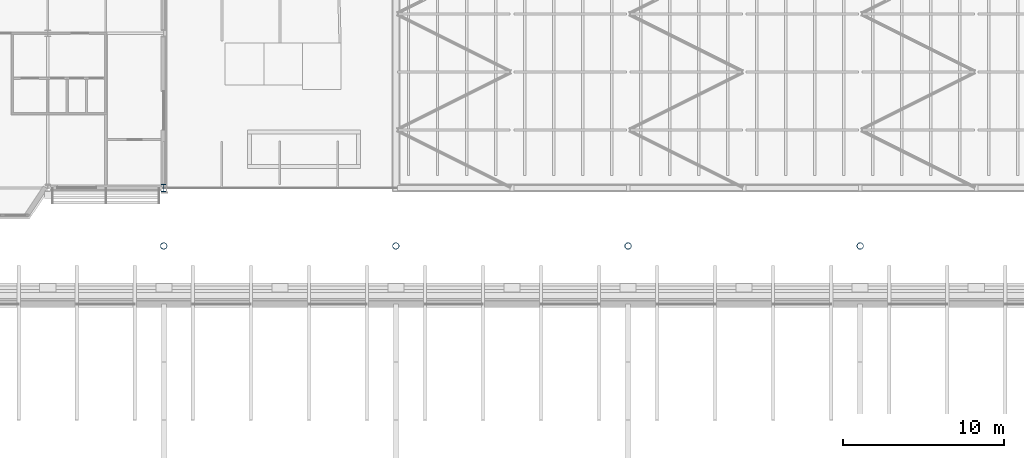
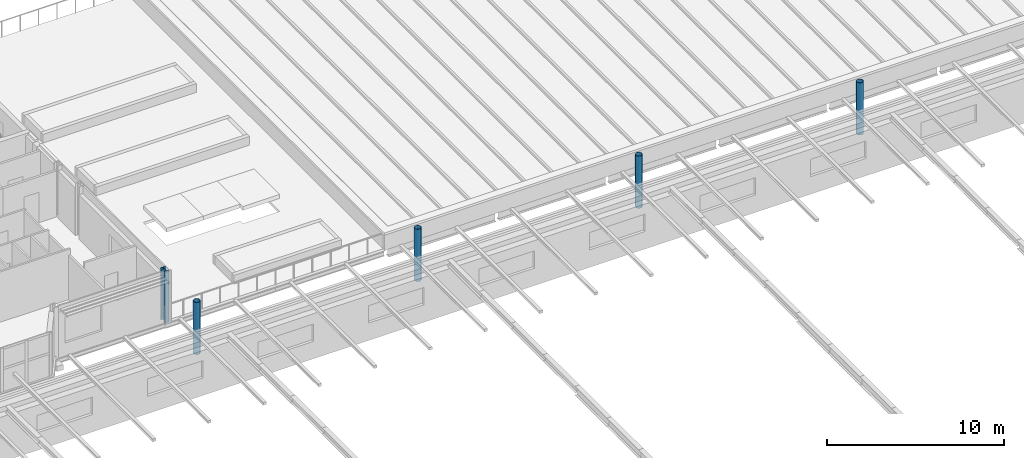
# One storey, part 14 of 110: 5 columns.
"""IFC4 building model written with IfcOpenShell, lengths in metres."""

from ifc_helpers import new_model, si_unit, direction, frame, origin, origin_2d, place, context, subcontext, project, spatial, hollow_circle, i_section, extrude, material, material_profile, profile_set, type_object, element, save


model = new_model("IFC4")

# Units and contexts
model_context = context("Model", 3, precision=1e-05, world=origin(), true_north=direction((0.0, 1.0)))
body_context = subcontext(model_context, "Body", "Model", "MODEL_VIEW")
ifc_project = project(units=[si_unit("LENGTHUNIT", "METRE"), si_unit("AREAUNIT", "SQUARE_METRE"), si_unit("VOLUMEUNIT", "CUBIC_METRE"), si_unit("PLANEANGLEUNIT", "RADIAN"), si_unit("MASSUNIT", "GRAM", prefix="KILO")], contexts=[model_context])

# Site, building, storey
site_placement = place(None, origin())
site = spatial("IfcSite", under=ifc_project, at=site_placement, CompositionType="ELEMENT")
building_placement = place(site_placement, origin())
building = spatial("IfcBuilding", under=site, at=building_placement, Name="Kupolbacken Congress Centre", CompositionType="ELEMENT")
storey_placement = place(building_placement, frame((0.0, 0.0, 18.0)))
storey = spatial("IfcBuildingStorey", under=building, at=storey_placement, Name="L05", CompositionType="ELEMENT", Elevation=18.0)

# Columns
ifc_material_1 = material(Name="Steel S355", Category="steel")
ifc_material_profile_1 = material_profile(ifc_material_1, i_section(OverallWidth=0.300048828125, OverallDepth=0.449951171875, WebThickness=0.013916015625, FlangeThickness=0.02587890625, FilletRadius=0.027099609375, at=origin_2d()), Name="HEB 450")
ifc_profile_set_1 = profile_set([ifc_material_profile_1], Name="Steel S355")
column_type_1 = type_object("IfcColumnType", Name="C03 column HEB 450", PredefinedType="COLUMN", material=ifc_profile_set_1)
column_placement = place(storey_placement, frame((136.800048828125, 122.39990234375, 0.0), z_axis=(0.0, 0.0, 1.0), x_axis=(1.0, 0.0, 0.0)))
element("IfcColumn", 1, at=column_placement, inside=storey, type_object=column_type_1, Name="S/col/C-T-20T/L05", PredefinedType="COLUMN", context=body_context, shape_type="SweptSolid", body=[
    extrude(i_section(OverallWidth=0.300048828125, OverallDepth=0.449951171875, WebThickness=0.013916015625, FlangeThickness=0.02587890625, FilletRadius=0.027099609375, at=origin_2d()), origin(), (0.0, 0.0, 1.0), 3.60009765625),
])
ifc_material_2 = material(Name="Steel S355", Category="steel")
ifc_material_profile_2 = material_profile(ifc_material_2, hollow_circle(Radius=0.203125, WallThickness=0.01611328125, at=origin_2d()), Name="CHS 406.4 x 16")
ifc_profile_set_2 = profile_set([ifc_material_profile_2], Name="Steel S355")
column_type_2 = type_object("IfcColumnType", Name="C15 roof mast CHS 406.4 x 16", PredefinedType="COLUMN", material=ifc_profile_set_2)
for number, where, z_axis, x_axis, name in (
    (2, (136.800048828125, 118.800048828125, 0.0), (0.0, 0.0, 1.0), (1.0, 0.0, 0.0), "Roof mast M4N"),
    (3, (151.199951171875, 118.800048828125, 0.0), (0.0, 0.0, 1.0), (1.0, 0.0, 0.0), "Roof mast M5N"),
    (4, (165.60009765625, 118.800048828125, 0.0), (0.0, 0.0, 1.0), (1.0, 0.0, 0.0), "Roof mast M6N"),
    (5, (180.0, 118.800048828125, 0.0), (0.0, 0.0, 1.0), (1.0, 0.0, 0.0), "Roof mast M7N"),
):
    element("IfcColumn", number, at=place(storey_placement, frame(where, z_axis=z_axis, x_axis=x_axis)), inside=storey, type_object=column_type_2, Name=name, PredefinedType="COLUMN", context=body_context, shape_type="SweptSolid", body=[
        extrude(hollow_circle(Radius=0.203125, WallThickness=0.01611328125, at=origin_2d()), origin(), (0.0, 0.0, 1.0), 3.60009765625),
    ])

save(model, "model.ifc")
